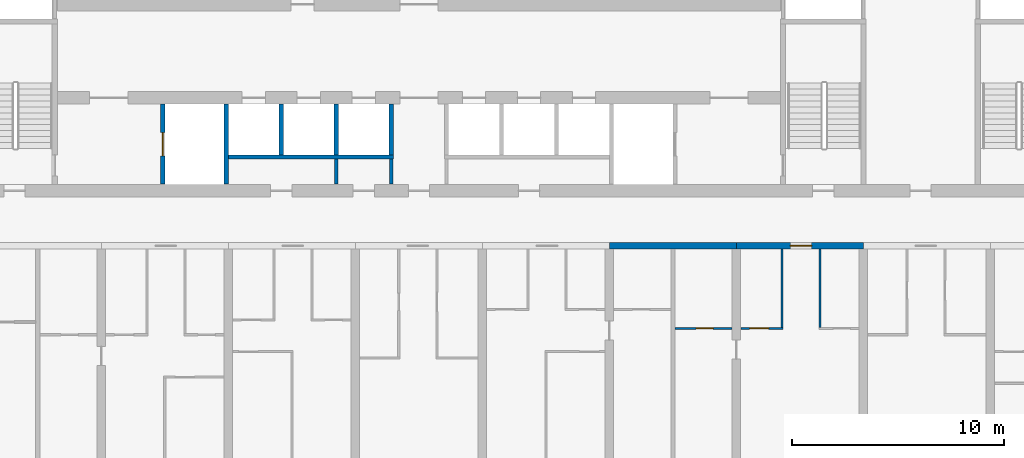
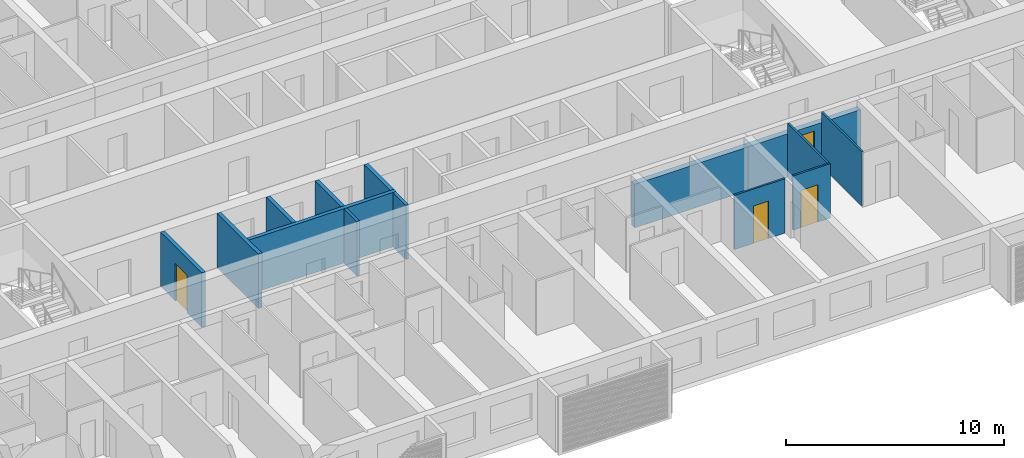
# One storey, part 6 of 39: 14 walls, 4 doors, 4 openings.
"""IFC4 building model written with IfcOpenShell, lengths in metres."""

from ifc_helpers import new_model, si_unit, direction, frame, frame_2d, origin, place, context, subcontext, project, spatial, rectangle, extrude, material, layer, layer_set, type_object, element, fill, save


model = new_model("IFC4")

# Units and contexts
model_context = context("Model", 3, precision=1e-05, world=origin(), true_north=direction((0.0, 1.0)))
body_context = subcontext(model_context, "Body", "Model", "MODEL_VIEW")
ifc_project = project(units=[si_unit("LENGTHUNIT", "METRE"), si_unit("AREAUNIT", "SQUARE_METRE"), si_unit("VOLUMEUNIT", "CUBIC_METRE"), si_unit("PLANEANGLEUNIT", "RADIAN"), si_unit("MASSUNIT", "GRAM", prefix="KILO")], contexts=[model_context])

# Site, building, storey
site_placement = place(None, origin())
site = spatial("IfcSite", under=ifc_project, at=site_placement, CompositionType="ELEMENT")
building_placement = place(site_placement, origin())
building = spatial("IfcBuilding", under=site, at=building_placement, Name="Poui Terraces", CompositionType="ELEMENT")
storey_placement = place(building_placement, frame((0.0, 0.0, 59.699951171875)))
storey = spatial("IfcBuildingStorey", under=building, at=storey_placement, Name="L16", CompositionType="ELEMENT", Elevation=59.699951171875)

# Walls
ifc_material_1 = material(Name="Fire-rated plasterboard wall")
ifc_layer_1 = layer(ifc_material_1, 0.14990234375)
ifc_layer_set_1 = layer_set([ifc_layer_1], Name="Fire-rated plasterboard wall")
wall_type_1 = type_object("IfcWallType", Name="CORRIDOR WALL 150", PredefinedType="PARTITIONING", material=ifc_layer_set_1)
wall_1_placement = place(storey_placement, frame((49.699951171875, 14.909912109375, 0.0), z_axis=(0.0, 0.0, 1.0), x_axis=(0.0, 1.0, 0.0)))
element("IfcWall", 1, at=wall_1_placement, inside=storey, type_object=wall_type_1, Name="CORRIDOR WALL 150", PredefinedType="PARTITIONING", context=body_context, shape_type="SweptSolid", body=[
    extrude(rectangle(XDim=1.190185546875, YDim=0.14990234375, at=frame_2d((0.59521484375, 0.0))), origin(), (0.0, 0.0, 1.0), 3.050048828125),
])
ifc_material_2 = material(Name="Concrete 80 MPa", Category="concrete")
ifc_layer_2 = layer(ifc_material_2, 0.300048828125)
ifc_layer_set_2 = layer_set([ifc_layer_2], Name="Concrete 80 MPa")
wall_type_2 = type_object("IfcWallType", Name="CORRIDOR WALL 300 80MPa", PredefinedType="SHEAR", material=ifc_layer_set_2)
wall_2_placement = place(storey_placement, frame((60.0, 12.0, 0.0), z_axis=(0.0, 0.0, 1.0), x_axis=(1.0, 0.0, 0.0)))
element("IfcWall", 2, at=wall_2_placement, inside=storey, type_object=wall_type_2, Name="CORRIDOR WALL LINE B BAY 10", PredefinedType="SHEAR", context=body_context, shape_type="SweptSolid", body=[
    extrude(rectangle(XDim=6.0, YDim=0.300048828125, at=frame_2d((3.0, 0.0))), origin(), (0.0, 0.0, 1.0), 2.449951171875),
])

# Wall, opening, door
wall_3_placement = place(storey_placement, frame((66.0, 12.0, 0.0), z_axis=(0.0, 0.0, 1.0), x_axis=(1.0, 0.0, 0.0)))
wall_3 = element("IfcWall", 3, at=wall_3_placement, inside=storey, type_object=wall_type_2, Name="CORRIDOR WALL LINE B BAY 11", PredefinedType="SHEAR", context=body_context, shape_type="SweptSolid", body=[
    extrude(rectangle(XDim=6.0, YDim=0.300048828125, at=frame_2d((3.0, 0.0))), origin(), (0.0, 0.0, 1.0), 2.449951171875),
])
opening_1_placement = place(wall_3_placement, frame((2.550048828125, 0.0, 0.0)))
opening_1 = element("IfcOpeningElement", 4, at=opening_1_placement, cuts=wall_3, Name="Opening FD30S", PredefinedType="OPENING", context=body_context, shape_type="SweptSolid", body=[
    extrude(rectangle(XDim=1.0, YDim=2.10009765625, at=frame_2d((0.5, 1.050048828125))), frame((0.0, 0.16015625, 0.0), z_axis=(0.0, -1.0, 0.0), x_axis=(1.0, 0.0, 0.0)), (0.0, 0.0, 1.0), 0.320068359375),
])
ifc_material_3 = material(Name="Steel fire door", Category="steel")
door_type_1 = type_object("IfcDoorType", Name="FLAT ENTRANCE DOOR 1000 X 2100", OperationType="NOTDEFINED", PredefinedType="DOOR", material=ifc_material_3)
door_1_placement = place(opening_1_placement, frame((1.0, 0.0, 0.0), z_axis=(0.0, 0.0, 1.0), x_axis=(-1.0, 0.0, 0.0)))
door_1 = element("IfcDoor", 5, at=door_1_placement, inside=storey, type_object=door_type_1, Name="FLAT ENTRANCE DOOR 121", OperationType="SINGLE_SWING_LEFT", OverallHeight=2.10009765625, OverallWidth=1.0, PredefinedType="DOOR", context=body_context, shape_type="SweptSolid", body=[
    extrude(rectangle(XDim=1.0, YDim=2.10009765625, at=frame_2d((0.5, 1.050048828125))), frame((0.0, 0.02490234375, 0.0), z_axis=(0.0, -1.0, 0.0), x_axis=(1.0, 0.0, 0.0)), (0.0, 0.0, 1.0), 0.050048828125),
])
fill(opening_1, door_1)

ifc_material_4 = material(Name="Plasterboard partition")
ifc_layer_3 = layer(ifc_material_4, 0.10009765625)
ifc_layer_set_3 = layer_set([ifc_layer_3], Name="Plasterboard partition")
wall_type_3 = type_object("IfcWallType", Name="FLAT PARTITION 100", PredefinedType="PARTITIONING", material=ifc_layer_set_3)
wall_4_placement = place(storey_placement, frame((63.10009765625, 8.10009765625, 0.0), z_axis=(0.0, 0.0, 1.0), x_axis=(1.0, 0.0, 0.0)))
wall_4 = element("IfcWall", 6, at=wall_4_placement, inside=storey, type_object=wall_type_3, Name="FLAT PARTITION 100", PredefinedType="PARTITIONING", context=body_context, shape_type="SweptSolid", body=[
    extrude(rectangle(XDim=2.68994140625, YDim=0.10009765625, at=frame_2d((1.344970703125, 0.0))), origin(), (0.0, 0.0, 1.0), 3.050048828125),
])
opening_2_placement = place(wall_4_placement, frame((1.0, 0.0, 0.0)))
opening_2 = element("IfcOpeningElement", 7, at=opening_2_placement, cuts=wall_4, Name="Opening D80", PredefinedType="OPENING", context=body_context, shape_type="SweptSolid", body=[
    extrude(rectangle(XDim=0.800048828125, YDim=2.10009765625, at=frame_2d((0.39990234375, 1.050048828125))), frame((0.0, 0.06005859375, 0.0), z_axis=(0.0, -1.0, 0.0), x_axis=(1.0, 0.0, 0.0)), (0.0, 0.0, 1.0), 0.1201171875),
])
ifc_material_5 = material(Name="Solid core timber door", Category="wood")
door_type_2 = type_object("IfcDoorType", Name="BATHROOM, LAUNDRY AND STORE DOOR 800 X 2100", OperationType="NOTDEFINED", PredefinedType="DOOR", material=ifc_material_5)
door_2_placement = place(opening_2_placement, origin())
door_2 = element("IfcDoor", 8, at=door_2_placement, inside=storey, type_object=door_type_2, Name="BATHROOM, LAUNDRY AND STORE DOOR 118", OperationType="SINGLE_SWING_RIGHT", OverallHeight=2.10009765625, OverallWidth=0.800048828125, PredefinedType="DOOR", context=body_context, shape_type="SweptSolid", body=[
    extrude(rectangle(XDim=0.800048828125, YDim=2.10009765625, at=frame_2d((0.39990234375, 1.050048828125))), frame((0.0, 0.02490234375, 0.0), z_axis=(0.0, -1.0, 0.0), x_axis=(1.0, 0.0, 0.0)), (0.0, 0.0, 1.0), 0.050048828125),
])
fill(opening_2, door_2)

wall_5_placement = place(storey_placement, frame((66.2099609375, 8.10009765625, 0.0), z_axis=(0.0, 0.0, 1.0), x_axis=(1.0, 0.0, 0.0)))
wall_5 = element("IfcWall", 9, at=wall_5_placement, inside=storey, type_object=wall_type_3, Name="FLAT PARTITION 100", PredefinedType="PARTITIONING", context=body_context, shape_type="SweptSolid", body=[
    extrude(rectangle(XDim=1.989990234375, YDim=0.10009765625, at=frame_2d((0.9951171875, 0.0))), origin(), (0.0, 0.0, 1.0), 3.050048828125),
])
opening_3_placement = place(wall_5_placement, frame((0.4150390625, 0.0, 0.0)))
opening_3 = element("IfcOpeningElement", 10, at=opening_3_placement, cuts=wall_5, Name="Opening D90", PredefinedType="OPENING", context=body_context, shape_type="SweptSolid", body=[
    extrude(rectangle(XDim=0.89990234375, YDim=2.10009765625, at=frame_2d((0.449951171875, 1.050048828125))), frame((0.0, 0.06005859375, 0.0), z_axis=(0.0, -1.0, 0.0), x_axis=(1.0, 0.0, 0.0)), (0.0, 0.0, 1.0), 0.1201171875),
])
door_type_3 = type_object("IfcDoorType", Name="INTERNAL DOOR 900 X 2100", OperationType="NOTDEFINED", PredefinedType="DOOR", material=ifc_material_5)
door_3_placement = place(opening_3_placement, origin())
door_3 = element("IfcDoor", 11, at=door_3_placement, inside=storey, type_object=door_type_3, Name="INTERNAL DOOR 120", OperationType="SINGLE_SWING_LEFT", OverallHeight=2.10009765625, OverallWidth=0.89990234375, PredefinedType="DOOR", context=body_context, shape_type="SweptSolid", body=[
    extrude(rectangle(XDim=0.89990234375, YDim=2.10009765625, at=frame_2d((0.449951171875, 1.050048828125))), frame((0.0, 0.02490234375, 0.0), z_axis=(0.0, -1.0, 0.0), x_axis=(1.0, 0.0, 0.0)), (0.0, 0.0, 1.0), 0.050048828125),
])
fill(opening_3, door_3)

# Walls
for number, where, z_axis, x_axis, name in (
    (12, (68.14990234375, 8.14990234375, 0.0), (0.0, 0.0, 1.0), (0.0, 1.0, 0.0), "FLAT PARTITION 100"),
    (13, (69.949951171875, 8.14990234375, 0.0), (0.0, 0.0, 1.0), (0.0, 1.0, 0.0), "FLAT PARTITION 100"),
):
    element("IfcWall", number, at=place(storey_placement, frame(where, z_axis=z_axis, x_axis=x_axis)), inside=storey, type_object=wall_type_3, Name=name, PredefinedType="PARTITIONING", context=body_context, shape_type="SweptSolid", body=[
        extrude(rectangle(XDim=3.690185546875, YDim=0.10009765625, at=frame_2d((1.84521484375, 0.0))), origin(), (0.0, 0.0, 1.0), 3.050048828125),
    ])
ifc_layer_4 = layer(ifc_material_4, 0.14990234375)
ifc_layer_set_4 = layer_set([ifc_layer_4], Name="Plasterboard partition")
wall_type_4 = type_object("IfcWallType", Name="PARTITION WALL 150", PredefinedType="PARTITIONING", material=ifc_layer_set_4)
wall_6_placement = place(storey_placement, frame((47.10009765625, 14.909912109375, 0.0), z_axis=(0.0, 0.0, 1.0), x_axis=(0.0, 1.0, 0.0)))
element("IfcWall", 14, at=wall_6_placement, inside=storey, type_object=wall_type_4, Name="PARTITION WALL 150", PredefinedType="PARTITIONING", context=body_context, shape_type="SweptSolid", body=[
    extrude(rectangle(XDim=1.190185546875, YDim=0.14990234375, at=frame_2d((0.59521484375, 0.0))), origin(), (0.0, 0.0, 1.0), 3.050048828125),
])
ifc_material_6 = material(Name="Fire-rated masonry shaft wall", Category="masonry")
ifc_layer_5 = layer(ifc_material_6, 0.199951171875)
ifc_layer_set_5 = layer_set([ifc_layer_5], Name="Fire-rated masonry shaft wall")
wall_type_5 = type_object("IfcWallType", Name="SHAFT WALL 200", PredefinedType="PARTITIONING", material=ifc_layer_set_5)
wall_7_placement = place(storey_placement, frame((42.0, 16.199951171875, 0.0), z_axis=(0.0, 0.0, 1.0), x_axis=(1.0, 0.0, 0.0)))
element("IfcWall", 15, at=wall_7_placement, inside=storey, type_object=wall_type_5, Name="SHAFT WALL 200", PredefinedType="PARTITIONING", context=body_context, shape_type="SweptSolid", body=[
    extrude(rectangle(XDim=7.800048828125, YDim=0.199951171875, at=frame_2d((3.89990234375, 0.0))), origin(), (0.0, 0.0, 1.0), 3.050048828125),
])

# Wall, opening, door
wall_8_placement = place(storey_placement, frame((38.89990234375, 14.909912109375, 0.0), z_axis=(0.0, 0.0, 1.0), x_axis=(0.0, 1.0, 0.0)))
wall_8 = element("IfcWall", 16, at=wall_8_placement, inside=storey, type_object=wall_type_5, Name="SHAFT WALL 200", PredefinedType="PARTITIONING", context=body_context, shape_type="SweptSolid", body=[
    extrude(rectangle(XDim=3.780029296875, YDim=0.199951171875, at=frame_2d((1.89013671875, 0.0))), origin(), (0.0, 0.0, 1.0), 3.050048828125),
])
opening_4_placement = place(wall_8_placement, frame((1.340087890625, 0.0, 0.0)))
opening_4 = element("IfcOpeningElement", 17, at=opening_4_placement, cuts=wall_8, Name="Opening LD", PredefinedType="OPENING", context=body_context, shape_type="SweptSolid", body=[
    extrude(rectangle(XDim=1.10009765625, YDim=2.10009765625, at=frame_2d((0.550048828125, 1.050048828125))), frame((0.0, 0.10986328125, 0.0), z_axis=(0.0, -1.0, 0.0), x_axis=(1.0, 0.0, 0.0)), (0.0, 0.0, 1.0), 0.219970703125),
])
ifc_material_7 = material(Name="Stainless steel sliding door", Category="steel")
door_type_4 = type_object("IfcDoorType", Name="LIFT LANDING DOOR 1100 X 2100", OperationType="DOUBLE_DOOR_SLIDING", PredefinedType="DOOR", material=ifc_material_7)
door_4_placement = place(opening_4_placement, origin())
door_4 = element("IfcDoor", 18, at=door_4_placement, inside=storey, type_object=door_type_4, Name="LANDING DOOR", OperationType="DOUBLE_DOOR_SLIDING", OverallHeight=2.10009765625, OverallWidth=1.10009765625, PredefinedType="DOOR", context=body_context, shape_type="SweptSolid", body=[
    extrude(rectangle(XDim=1.10009765625, YDim=2.10009765625, at=frame_2d((0.550048828125, 1.050048828125))), frame((0.0, 0.02490234375, 0.0), z_axis=(0.0, -1.0, 0.0), x_axis=(1.0, 0.0, 0.0)), (0.0, 0.0, 1.0), 0.050048828125),
])
fill(opening_4, door_4)

# Walls
wall_9_placement = place(storey_placement, frame((41.89990234375, 14.909912109375, 0.0), z_axis=(0.0, 0.0, 1.0), x_axis=(0.0, 1.0, 0.0)))
element("IfcWall", 19, at=wall_9_placement, inside=storey, type_object=wall_type_5, Name="SHAFT WALL 200", PredefinedType="PARTITIONING", context=body_context, shape_type="SweptSolid", body=[
    extrude(rectangle(XDim=3.780029296875, YDim=0.199951171875, at=frame_2d((1.89013671875, 0.0))), origin(), (0.0, 0.0, 1.0), 3.050048828125),
])
for number, where, z_axis, x_axis, name in (
    (20, (44.5, 16.300048828125, 0.0), (0.0, 0.0, 1.0), (0.0, 1.0, 0.0), "SHAFT WALL 200"),
    (21, (47.10009765625, 16.300048828125, 0.0), (0.0, 0.0, 1.0), (0.0, 1.0, 0.0), "SHAFT WALL 200"),
    (22, (49.699951171875, 16.300048828125, 0.0), (0.0, 0.0, 1.0), (0.0, 1.0, 0.0), "SHAFT WALL 200"),
):
    element("IfcWall", number, at=place(storey_placement, frame(where, z_axis=z_axis, x_axis=x_axis)), inside=storey, type_object=wall_type_5, Name=name, PredefinedType="PARTITIONING", context=body_context, shape_type="SweptSolid", body=[
        extrude(rectangle(XDim=2.389892578125, YDim=0.199951171875, at=frame_2d((1.19482421875, 0.0))), origin(), (0.0, 0.0, 1.0), 3.050048828125),
    ])

save(model, "model.ifc")
